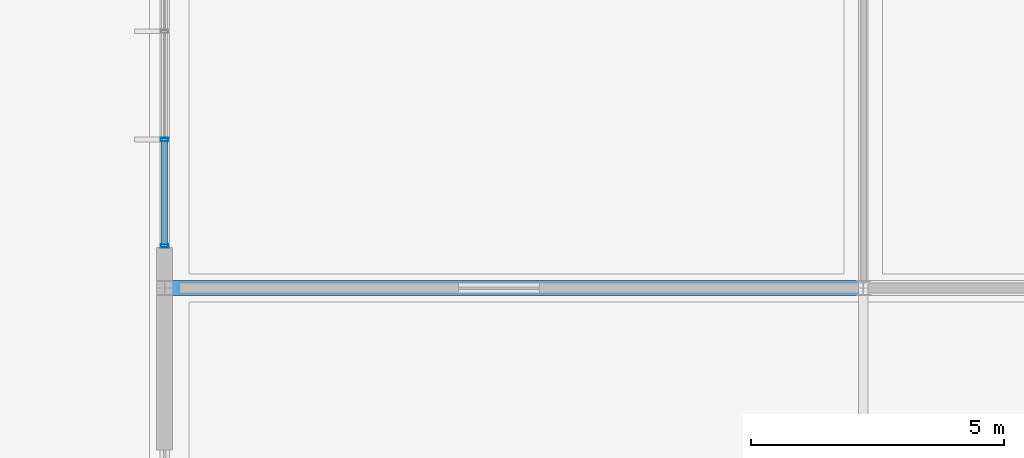
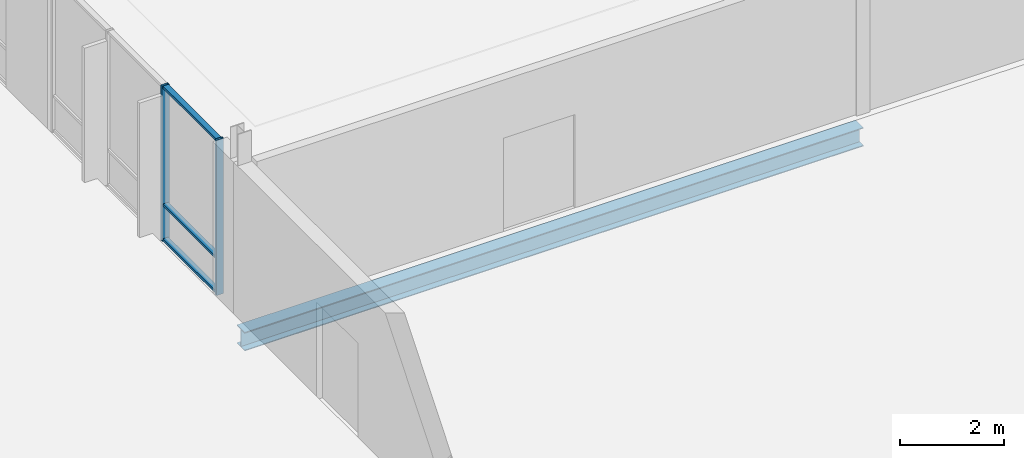
# One storey, part 154 of 233: 5 members, 1 beam, 1 element without a shape of its own.
"""IFC4 building model written with IfcOpenShell, lengths in metres."""

from ifc_helpers import new_model, si_unit, direction, frame, origin, origin_2d, place, context, subcontext, project, spatial, hollow_rectangle, i_section, extrude, material, material_profile, profile_set, type_object, element, aggregate, save


model = new_model("IFC4")

# Units and contexts
model_context = context("Model", 3, precision=1e-05, world=origin(), true_north=direction((0.0, 1.0)))
body_context = subcontext(model_context, "Body", "Model", "MODEL_VIEW")
ifc_project = project(units=[si_unit("LENGTHUNIT", "METRE"), si_unit("AREAUNIT", "SQUARE_METRE"), si_unit("VOLUMEUNIT", "CUBIC_METRE"), si_unit("PLANEANGLEUNIT", "RADIAN"), si_unit("MASSUNIT", "GRAM", prefix="KILO")], contexts=[model_context])

# Site, building, storey
site_placement = place(None, origin())
site = spatial("IfcSite", under=ifc_project, at=site_placement, CompositionType="ELEMENT")
building_placement = place(site_placement, origin())
building = spatial("IfcBuilding", under=site, at=building_placement, Name="Zavelmont Quarter", CompositionType="ELEMENT")
storey_placement = place(building_placement, origin())
storey = spatial("IfcBuildingStorey", under=building, at=storey_placement, Name="L00", CompositionType="ELEMENT", Elevation=0.0)

# Beam
ifc_material_1 = material(Name="Steel S355", Category="steel")
ifc_material_profile_1 = material_profile(ifc_material_1, i_section(OverallWidth=0.300048828125, OverallDepth=0.43994140625, WebThickness=0.011474609375, FlangeThickness=0.02099609375, at=origin_2d()), Name="HEA 450")
ifc_profile_set_1 = profile_set([ifc_material_profile_1], Name="Steel S355")
beam_type = type_object("IfcBeamType", Name="BM10", PredefinedType="BEAM", material=ifc_profile_set_1)
beam_placement = place(storey_placement, frame((133.5, 54.0, -0.5400390625), z_axis=(1.0, 0.0, 0.0), x_axis=(0.0, 1.0, 0.0)))
element("IfcBeam", 1, at=beam_placement, inside=storey, type_object=beam_type, Name="L00 beam BM10 20/J to 22/J", PredefinedType="BEAM", context=body_context, shape_type="SweptSolid", body=[
    extrude(i_section(OverallWidth=0.300048828125, OverallDepth=0.43994140625, WebThickness=0.011474609375, FlangeThickness=0.02099609375, at=origin_2d()), origin(), (0.0, 0.0, 1.0), 13.800048828125),
])

# Curtain wall, members
ifc_material_2 = material(Name="Thermally broken aluminium and double low-E safety glazing", Category="aluminium")
curtain_wall_type = type_object("IfcCurtainWallType", Name="CW-640X366", PredefinedType="NOTDEFINED", material=ifc_material_2)
curtain_wall_placement = place(storey_placement, origin())
curtain_wall = element("IfcCurtainWall", 2, at=curtain_wall_placement, inside=storey, type_object=curtain_wall_type, Name="L00 unitised curtain wall CW-640X366", PredefinedType="NOTDEFINED")
ifc_material_3 = material(Name="Powder-coated aluminium EN AW-6063-T6", Category="aluminium")
ifc_material_profile_2 = material_profile(ifc_material_3, hollow_rectangle(XDim=0.06005859375, YDim=0.159912109375, WallThickness=0.00390625, at=origin_2d()), Name="CWM60X160")
ifc_profile_set_2 = profile_set([ifc_material_profile_2], Name="Powder-coated aluminium EN AW-6063-T6")
member_type_1 = type_object("IfcMemberType", Name="CWM01", PredefinedType="MULLION", material=ifc_profile_set_2)
member_1_placement = place(storey_placement, frame((133.5, 54.830078125, 0.0), z_axis=(0.0, 0.0, 1.0), x_axis=(0.0, 1.0, 0.0)))
member_1 = element("IfcMember", 3, at=member_1_placement, type_object=member_type_1, Name="CW-640X366 mullion 1", PredefinedType="MULLION", context=body_context, shape_type="SweptSolid", body=[
    extrude(hollow_rectangle(XDim=0.06005859375, YDim=0.159912109375, WallThickness=0.00390625, at=origin_2d()), origin(), (0.0, 0.0, 1.0), 3.659912109375),
])
member_2_placement = place(storey_placement, frame((133.5, 56.933349609375, 0.0), z_axis=(0.0, 0.0, 1.0), x_axis=(0.0, 1.0, 0.0)))
member_2 = element("IfcMember", 4, at=member_2_placement, type_object=member_type_1, Name="CW-640X366 mullion 2", PredefinedType="MULLION", context=body_context, shape_type="SweptSolid", body=[
    extrude(hollow_rectangle(XDim=0.06005859375, YDim=0.159912109375, WallThickness=0.00390625, at=origin_2d()), origin(), (0.0, 0.0, 1.0), 3.659912109375),
])
ifc_material_profile_3 = material_profile(ifc_material_3, hollow_rectangle(XDim=0.1201171875, YDim=0.06005859375, WallThickness=0.00390625, at=origin_2d()), Name="CWT60X120")
ifc_profile_set_3 = profile_set([ifc_material_profile_3], Name="Powder-coated aluminium EN AW-6063-T6")
member_type_2 = type_object("IfcMemberType", Name="CWT01", PredefinedType="NOTDEFINED", material=ifc_profile_set_3)
member_3_placement = place(storey_placement, frame((133.5, 54.860107421875, 0.030029296875), z_axis=(0.0, 1.0, 0.0), x_axis=(-1.0, 0.0, 0.0)))
member_3 = element("IfcMember", 5, at=member_3_placement, type_object=member_type_2, Name="CW-640X366 transom 1.1", ObjectType="TRANSOM", PredefinedType="USERDEFINED", context=body_context, shape_type="SweptSolid", body=[
    extrude(hollow_rectangle(XDim=0.1201171875, YDim=0.06005859375, WallThickness=0.00390625, at=origin_2d()), origin(), (0.0, 0.0, 1.0), 2.043212890625),
])
member_4_placement = place(storey_placement, frame((133.5, 54.860107421875, 0.85009765625), z_axis=(0.0, 1.0, 0.0), x_axis=(-1.0, 0.0, 0.0)))
member_4 = element("IfcMember", 6, at=member_4_placement, type_object=member_type_2, Name="CW-640X366 transom 1.2", ObjectType="TRANSOM", PredefinedType="USERDEFINED", context=body_context, shape_type="SweptSolid", body=[
    extrude(hollow_rectangle(XDim=0.1201171875, YDim=0.06005859375, WallThickness=0.00390625, at=origin_2d()), origin(), (0.0, 0.0, 1.0), 2.043212890625),
])
member_5_placement = place(storey_placement, frame((133.5, 54.860107421875, 3.6298828125), z_axis=(0.0, 1.0, 0.0), x_axis=(-1.0, 0.0, 0.0)))
member_5 = element("IfcMember", 7, at=member_5_placement, type_object=member_type_2, Name="CW-640X366 transom 1.3", ObjectType="TRANSOM", PredefinedType="USERDEFINED", context=body_context, shape_type="SweptSolid", body=[
    extrude(hollow_rectangle(XDim=0.1201171875, YDim=0.06005859375, WallThickness=0.00390625, at=origin_2d()), origin(), (0.0, 0.0, 1.0), 2.043212890625),
])
aggregate(curtain_wall, [member_1, member_2, member_3, member_4, member_5])

save(model, "model.ifc")
